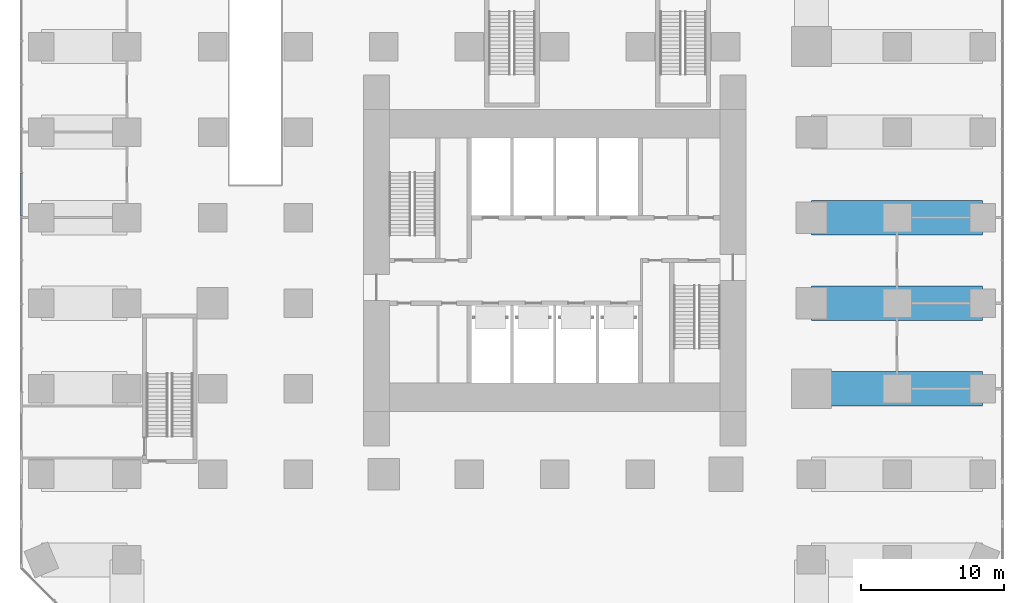
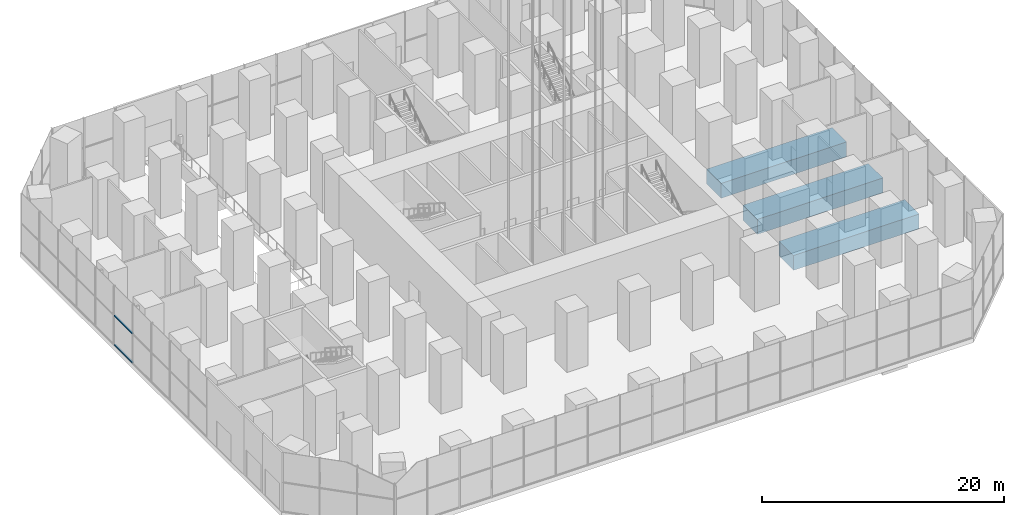
# One storey, part 5 of 21: 3 beams, 2 members, 1 element without a shape of its own.
"""IFC4 building model written with IfcOpenShell, lengths in metres."""

import ifcopenshell
import ifcopenshell.guid

model = None  # the IFC model being written
_history = None  # IfcOwnerHistory: only IFC2X3 demands one
_inside = {}  # id of a spatial element -> (the spatial element, [elements in it])
_under = {}  # id of a project, library or spatial element -> (it, [spatial elements below it])
_declared = {}  # id of a project -> (the project, [libraries it declares])
_typed = {}  # id of a type object -> (the type object, [elements of that type])
_made_of = {}  # id of a material, layer set ... -> (it, [elements and type objects made of it])


def new_model(schema):
    """Start an empty IFC model of exactly this schema.

    Asked for "IFC4X3", IfcOpenShell would pick the latest addendum, in which some entities
    have other attributes; the version numbers below select the first issue.
    IFC2X3 requires an IfcOwnerHistory on every rooted entity: one is made here for all.
    """
    global model, _history
    if schema == "IFC4X3":
        model = ifcopenshell.file(schema_version=(4, 3, 0, 0))
    else:
        model = ifcopenshell.file(schema=schema)
    _inside.clear()
    _under.clear()
    _declared.clear()
    _typed.clear()
    _made_of.clear()
    _history = None
    if model.schema == "IFC2X3":
        org = make("IfcOrganization", Name="unknown")
        user = make(
            "IfcPersonAndOrganization",
            ThePerson=make("IfcPerson", FamilyName="unknown"),
            TheOrganization=org,
        )
        app = make(
            "IfcApplication",
            ApplicationDeveloper=org,
            Version="unknown",
            ApplicationFullName="unknown",
            ApplicationIdentifier="unknown",
        )
        _history = make(
            "IfcOwnerHistory",
            OwningUser=user,
            OwningApplication=app,
            ChangeAction="ADDED",
            CreationDate=0,
        )
    return model


def make(cls, **values):
    """One entity of the class cls with the attributes given. An attribute that is None is left unset."""
    return model.create_entity(
        cls, **{name: value for name, value in values.items() if value is not None}
    )


def rooted(cls, **values):
    """An entity with a GlobalId (a new one), such as an element, a storey or a relation."""
    return make(cls, GlobalId=ifcopenshell.guid.new(), OwnerHistory=_history, **values)


def si_unit(unit_type, name, prefix=None):
    """IfcSIUnit, for example si_unit("LENGTHUNIT", "METRE", prefix="MILLI")."""
    return make("IfcSIUnit", UnitType=unit_type, Prefix=prefix, Name=name)


def assignment(units):
    """IfcUnitAssignment: the units of a project."""
    return None if units is None else make("IfcUnitAssignment", Units=units)


def point(xyz):
    """IfcCartesianPoint."""
    return None if xyz is None else make("IfcCartesianPoint", Coordinates=xyz)


def direction(xyz):
    """IfcDirection."""
    return None if xyz is None else make("IfcDirection", DirectionRatios=xyz)


def frame(location, z_axis=None, x_axis=None):
    """IfcAxis2Placement3D, a coordinate frame: its origin and axes. An axis left out is left unset."""
    return make(
        "IfcAxis2Placement3D",
        Location=point(location),
        Axis=direction(z_axis),
        RefDirection=direction(x_axis),
    )


def frame_2d(location, x_axis=None):
    """IfcAxis2Placement2D, a coordinate frame in the plane: its origin and x axis."""
    return make(
        "IfcAxis2Placement2D", Location=point(location), RefDirection=direction(x_axis)
    )


def origin():
    """The frame at (0, 0, 0) with its axes left unset."""
    return frame((0.0, 0.0, 0.0))


def origin_2d():
    """The frame at (0, 0) in the plane with its x axis left unset."""
    return frame_2d((0.0, 0.0))


def place(relative_to, where):
    """IfcLocalPlacement: puts the frame where relative to a parent placement (None: the world)."""
    return make(
        "IfcLocalPlacement", PlacementRelTo=relative_to, RelativePlacement=where
    )


def context(
    kind, dimensions, precision=None, world=None, true_north=None, identifier=None
):
    """IfcGeometricRepresentationContext, for example the 3D "Model" context."""
    return make(
        "IfcGeometricRepresentationContext",
        ContextIdentifier=identifier,
        ContextType=kind,
        CoordinateSpaceDimension=dimensions,
        Precision=precision,
        WorldCoordinateSystem=world,
        TrueNorth=true_north,
    )


def subcontext(parent, identifier, kind, view, scale=None):
    """IfcGeometricRepresentationSubContext, for example "Body" below "Model"."""
    return make(
        "IfcGeometricRepresentationSubContext",
        ContextIdentifier=identifier,
        ContextType=kind,
        ParentContext=parent,
        TargetScale=scale,
        TargetView=view,
    )


def project(units=None, contexts=None):
    """IfcProject with its units and contexts."""
    return rooted(
        "IfcProject",
        Name="project",
        RepresentationContexts=contexts,
        UnitsInContext=assignment(units),
    )


def spatial(cls, under=None, at=None, **own):
    """A site, building, storey or space (cls), placed at a placement, below another one or the project."""
    s = rooted(cls, ObjectPlacement=at, **own)
    if under is not None:
        _under.setdefault(under.id(), (under, []))[1].append(s)
    return s


def profile(cls, at=None, kind="AREA", **sizes):
    """A parametric profile (cls). Its sizes go by their IFC names, for example OverallWidth=200.0."""
    return make(cls, ProfileType=kind, Position=at, **sizes)


def rectangle(**sizes):
    """IfcRectangleProfileDef."""
    return profile("IfcRectangleProfileDef", **sizes)


def extrude(swept, where, along, depth):
    """IfcExtrudedAreaSolid: the profile swept, set in the frame where, extruded along a direction by depth."""
    return make(
        "IfcExtrudedAreaSolid",
        SweptArea=swept,
        Position=where,
        ExtrudedDirection=direction(along),
        Depth=depth,
    )


def shape(context_of_items, identifier, shape_type, items):
    """IfcShapeRepresentation: the items that make up one representation, for example the "Body"."""
    return make(
        "IfcShapeRepresentation",
        ContextOfItems=context_of_items,
        RepresentationIdentifier=identifier,
        RepresentationType=shape_type,
        Items=items,
    )


def material(Name=None, Category=None):
    """IfcMaterial."""
    return make("IfcMaterial", Name=Name, Category=Category)


def layer(
    of_material, thickness, ventilated=None, Name=None, Category=None, Priority=None
):
    """IfcMaterialLayer: one layer of a wall or slab, of a material (None: an air gap)."""
    return make(
        "IfcMaterialLayer",
        Material=of_material,
        LayerThickness=thickness,
        IsVentilated=ventilated,
        Name=Name,
        Category=Category,
        Priority=Priority,
    )


def layer_set(layers, Name=None):
    """IfcMaterialLayerSet."""
    return make("IfcMaterialLayerSet", MaterialLayers=layers, LayerSetName=Name)


def material_profile(
    of_material, cross_section, Name=None, Category=None, Priority=None
):
    """IfcMaterialProfile: a cross section and its material."""
    return make(
        "IfcMaterialProfile",
        Name=Name,
        Material=of_material,
        Profile=cross_section,
        Priority=Priority,
        Category=Category,
    )


def profile_set(profiles, Name=None, composite=None):
    """IfcMaterialProfileSet."""
    return make(
        "IfcMaterialProfileSet",
        Name=Name,
        MaterialProfiles=profiles,
        CompositeProfile=composite,
    )


def made_of(thing, what):
    """Note that an element or type object is made of a material, layer set ...; save() writes the relation."""
    if what is not None:
        _made_of.setdefault(what.id(), (what, []))[1].append(thing)
    return thing


def type_object(cls, material=None, **own):
    """A type object (cls), such as IfcWallType, which elements share."""
    return made_of(rooted(cls, **own), material)


def element(
    cls,
    number,
    at=None,
    inside=None,
    cuts=None,
    type_object=None,
    material=None,
    context=None,
    identifier="Body",
    shape_type=None,
    held_by="IfcProductDefinitionShape",
    body=None,
    shapes=None,
    **own,
):
    """One element of the class cls, such as IfcWall. Its Tag is "e" and its number.

    at: its placement. inside: the storey or other place that contains it. cuts: it is an
    opening in that element (IfcRelVoidsElement). A single representation is given by context,
    identifier, shape_type and body (its items); several are given by shapes. held_by: the class
    of the entity that holds the representations. save() writes the other relations.
    """
    e = rooted(cls, Tag="e%d" % number, ObjectPlacement=at, **own)
    if body is not None:
        shapes = [shape(context, identifier, shape_type, body)]
    if shapes is not None:
        e.Representation = make(held_by, Representations=shapes)
    if inside is not None:
        _inside.setdefault(inside.id(), (inside, []))[1].append(e)
    if cuts is not None:
        rooted(
            "IfcRelVoidsElement", RelatingBuildingElement=cuts, RelatedOpeningElement=e
        )
    if type_object is not None:
        _typed.setdefault(type_object.id(), (type_object, []))[1].append(e)
    return made_of(e, material)


def aggregate(whole, parts):
    """IfcRelAggregates: a whole, such as a stair, and the parts it consists of."""
    return rooted("IfcRelAggregates", RelatingObject=whole, RelatedObjects=parts)


def save(model, path):
    """Write the relations noted so far, then the file.

    IfcRelAggregates (storeys below a building ...), IfcRelContainedInSpatialStructure (elements
    in a storey), IfcRelDefinesByType, IfcRelAssociatesMaterial and IfcRelDeclares: one each for
    every whole, place, type object, material and project.
    """
    for whole, parts in _under.values():
        aggregate(whole, parts)
    for where, things in _inside.values():
        rooted(
            "IfcRelContainedInSpatialStructure",
            RelatedElements=things,
            RelatingStructure=where,
        )
    for kind, things in _typed.values():
        rooted("IfcRelDefinesByType", RelatedObjects=things, RelatingType=kind)
    for what, things in _made_of.values():
        rooted("IfcRelAssociatesMaterial", RelatedObjects=things, RelatingMaterial=what)
    for by, libraries in _declared.values():
        rooted("IfcRelDeclares", RelatingContext=by, RelatedDefinitions=libraries)
    model.write(path)


model = new_model("IFC4")

# Units and contexts
model_context = context("Model", 3, precision=1e-05, world=origin(), true_north=direction((0.0, 1.0)))
body_context = subcontext(model_context, "Body", "Model", "MODEL_VIEW")
ifc_project = project(units=[si_unit("LENGTHUNIT", "METRE"), si_unit("AREAUNIT", "SQUARE_METRE"), si_unit("VOLUMEUNIT", "CUBIC_METRE"), si_unit("PLANEANGLEUNIT", "RADIAN"), si_unit("MASSUNIT", "GRAM", prefix="KILO")], contexts=[model_context])

# Site, building, storey
site_placement = place(None, origin())
site = spatial("IfcSite", under=ifc_project, at=site_placement, CompositionType="ELEMENT")
building_placement = place(site_placement, origin())
building = spatial("IfcBuilding", under=site, at=building_placement, Name="Highveld Stack Headquarters", CompositionType="ELEMENT")
storey_placement = place(building_placement, origin())
storey = spatial("IfcBuildingStorey", under=building, at=storey_placement, Name="L00", CompositionType="ELEMENT", Elevation=0.0)

# Curtain wall, members
ifc_material_1 = material(Name="Aluminium bronze anodised", Category="aluminium")
ifc_layer = layer(ifc_material_1, 0.199951171875)
ifc_layer_set = layer_set([ifc_layer], Name="Aluminium bronze anodised")
curtain_wall_type = type_object("IfcCurtainWallType", Name="CW3 PODIUM STICK CURTAIN WALL", PredefinedType="NOTDEFINED", material=ifc_layer_set)
curtain_wall_placement = place(storey_placement, origin())
curtain_wall = element("IfcCurtainWall", 1, at=curtain_wall_placement, inside=storey, type_object=curtain_wall_type, Name="Curtain wall CW3 L00 W", PredefinedType="NOTDEFINED")
ifc_material_2 = material(Name="Aluminium bronze anodised", Category="aluminium")
ifc_material_profile_1 = material_profile(ifc_material_2, rectangle(XDim=0.14990234375, YDim=0.10009765625, at=origin_2d()), Name="CW3 TRANSOM 150x100")
ifc_profile_set_1 = profile_set([ifc_material_profile_1], Name="Aluminium bronze anodised")
member_type = type_object("IfcMemberType", Name="CW3 STACK TRANSOM 150x100", PredefinedType="USERDEFINED", material=ifc_profile_set_1)
member_1_placement = place(storey_placement, frame((-31.39990234375, 9.13330078125, 0.050048828125), z_axis=(0.0, -1.0, 0.0), x_axis=(1.0, 0.0, 0.0)))
member_1 = element("IfcMember", 2, at=member_1_placement, type_object=member_type, Name="CW3 transom L00 6.1", ObjectType="TRANSOM", PredefinedType="USERDEFINED", context=body_context, shape_type="SweptSolid", body=[
    extrude(rectangle(XDim=0.14990234375, YDim=0.10009765625, at=origin_2d()), origin(), (0.0, 0.0, 1.0), 3.01806640625),
])
member_2_placement = place(storey_placement, frame((-31.39990234375, 9.13330078125, 3.0), z_axis=(0.0, -1.0, 0.0), x_axis=(1.0, 0.0, 0.0)))
member_2 = element("IfcMember", 3, at=member_2_placement, type_object=member_type, Name="CW3 transom L00 6.2", ObjectType="TRANSOM", PredefinedType="USERDEFINED", context=body_context, shape_type="SweptSolid", body=[
    extrude(rectangle(XDim=0.14990234375, YDim=0.10009765625, at=origin_2d()), origin(), (0.0, 0.0, 1.0), 3.01806640625),
])
aggregate(curtain_wall, [member_1, member_2])

# Beams
ifc_material_3 = material(Name="Concrete C60/75", Category="concrete")
ifc_material_profile_2 = material_profile(ifc_material_3, rectangle(XDim=2.39990234375, YDim=1.5, at=origin_2d()), Name="RC 2400x1500")
ifc_profile_set_2 = profile_set([ifc_material_profile_2], Name="Concrete C60/75")
beam_type = type_object("IfcBeamType", Name="TRANSFER GIRDER RC 2400x1500 C60/75", PredefinedType="USERDEFINED", material=ifc_profile_set_2)
for number, where, z_axis, x_axis, name in (
    (4, (24.0, -6.0, -1.199951171875), (1.0, 0.0, 0.0), (0.0, 1.0, 0.0), "Transfer girder 10/D"),
    (5, (24.0, 0.0, -1.199951171875), (1.0, 0.0, 0.0), (0.0, 1.0, 0.0), "Transfer girder 10/E"),
    (6, (24.0, 6.0, -1.199951171875), (1.0, 0.0, 0.0), (0.0, 1.0, 0.0), "Transfer girder 10/F"),
):
    element("IfcBeam", number, at=place(storey_placement, frame(where, z_axis=z_axis, x_axis=x_axis)), inside=storey, type_object=beam_type, Name=name, ObjectType="TRANSFER GIRDER", PredefinedType="USERDEFINED", context=body_context, shape_type="SweptSolid", body=[
        extrude(rectangle(XDim=2.39990234375, YDim=1.5, at=origin_2d()), origin(), (0.0, 0.0, 1.0), 12.0),
    ])

save(model, "model.ifc")
